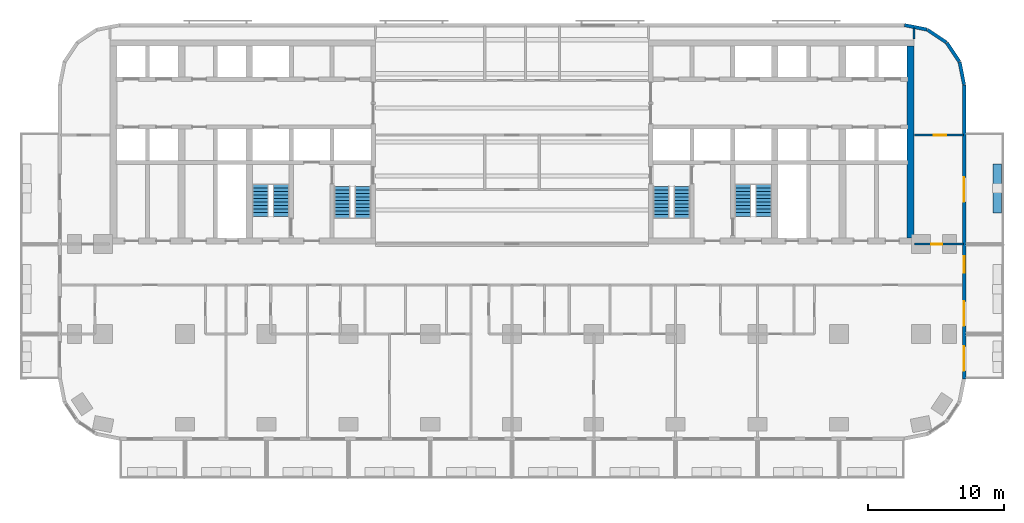
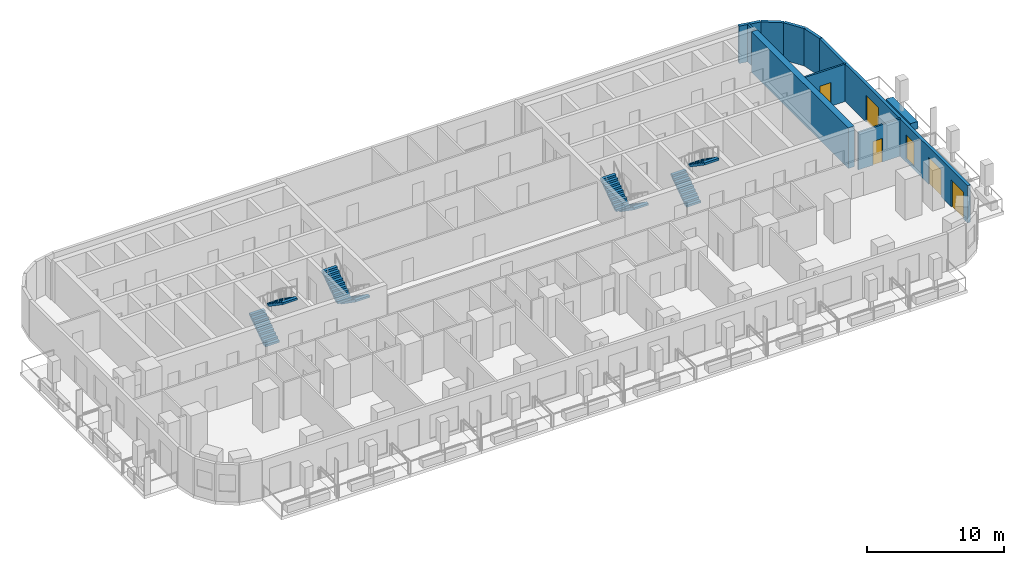
# One storey, part 9 of 14: 10 walls, 8 stair flights, 5 doors, 1 window, 6 openings, 4 elements without a shape of their own.
"""IFC4 building model written with IfcOpenShell, lengths in metres."""

from ifc_helpers import new_model, si_unit, direction, frame, frame_2d, origin, place, context, subcontext, project, spatial, polyline, rectangle, outline, extrude, material, layer, layer_set, type_object, element, fill, aggregate, save


model = new_model("IFC4")

# Units and contexts
model_context = context("Model", 3, precision=1e-05, world=origin(), true_north=direction((0.0, 1.0)))
body_context = subcontext(model_context, "Body", "Model", "MODEL_VIEW")
ifc_project = project(units=[si_unit("LENGTHUNIT", "METRE"), si_unit("AREAUNIT", "SQUARE_METRE"), si_unit("VOLUMEUNIT", "CUBIC_METRE"), si_unit("PLANEANGLEUNIT", "RADIAN"), si_unit("MASSUNIT", "GRAM", prefix="KILO")], contexts=[model_context])

# Site, building, storey
site_placement = place(None, origin())
site = spatial("IfcSite", under=ifc_project, at=site_placement, CompositionType="ELEMENT")
building_placement = place(site_placement, origin())
building = spatial("IfcBuilding", under=site, at=building_placement, Name="Torana Hotel and Residences", CompositionType="ELEMENT")
storey_placement = place(building_placement, frame((0.0, 0.0, 99.60009765625)))
storey = spatial("IfcBuildingStorey", under=building, at=storey_placement, Name="L25", CompositionType="ELEMENT", Elevation=99.60009765625)

# Walls
ifc_material_1 = material(Name="Concrete C80/95", Category="concrete")
ifc_layer_1 = layer(ifc_material_1, 0.5)
ifc_layer_set_1 = layer_set([ifc_layer_1], Name="CORE WALL 500 C80/95")
wall_type_1 = type_object("IfcWallType", Name="CORE WALL 500 C80/95", PredefinedType="SHEAR", material=ifc_layer_set_1)
wall_1_placement = place(storey_placement, frame((29.25, -14.550048828125, 0.0), z_axis=(0.0, 0.0, 1.0), x_axis=(0.0, 1.0, 0.0)))
element("IfcWall", 1, at=wall_1_placement, inside=storey, type_object=wall_type_1, Name="Core wall E outer", PredefinedType="SHEAR", context=body_context, shape_type="SweptSolid", body=[
    extrude(rectangle(XDim=14.10009765625, YDim=0.5, at=frame_2d((7.050048828125, 0.0))), origin(), (0.0, 0.0, 1.0), 3.599853515625),
])
ifc_material_2 = material(Name="Black aluminium composite panel", Category="aluminium")
ifc_layer_2 = layer(ifc_material_2, 0.00390625, Name="Cladding", Category="cladding")
ifc_material_3 = material(Name="Ventilated air cavity")
ifc_layer_3 = layer(ifc_material_3, 0.0400390625, Name="Ventilated cavity", Category="cavity")
ifc_material_4 = material(Name="Mineral wool insulation")
ifc_layer_4 = layer(ifc_material_4, 0.090087890625, Name="Insulation", Category="insulation")
ifc_material_5 = material(Name="Steel S280GD", Category="steel")
ifc_layer_5 = layer(ifc_material_5, 0.092041015625, Name="Steel stud frame", Category="structure")
ifc_material_6 = material(Name="Fire rated plasterboard")
ifc_layer_6 = layer(ifc_material_6, 0.011962890625, Name="Inner board", Category="finish")
ifc_layer_7 = layer(ifc_material_6, 0.011962890625, Name="Second board", Category="finish")
ifc_layer_set_2 = layer_set([ifc_layer_2, ifc_layer_3, ifc_layer_4, ifc_layer_5, ifc_layer_6, ifc_layer_7], Name="EW1 EXTERNAL WALL BLACK METAL CLAD 250")
wall_type_2 = type_object("IfcWallType", Name="EW1 EXTERNAL WALL BLACK METAL CLAD 250", PredefinedType="SOLIDWALL", material=ifc_layer_set_2)
wall_2_placement = place(storey_placement, frame((33.172607421875, -3.30029296875, 0.0), z_axis=(0.0, 0.0, 1.0), x_axis=(-0.19513878023, 0.980775640221, 0.0)))
element("IfcWall", 2, at=wall_2_placement, inside=storey, type_object=wall_type_2, Name="External wall L25 e0.0", PredefinedType="SOLIDWALL", context=body_context, shape_type="SweptSolid", body=[
    extrude(rectangle(XDim=1.681396484375, YDim=0.25, at=frame_2d((0.8408203125, 0.0))), origin(), (0.0, 0.0, 1.0), 3.31982421875),
])
for number, where, z_axis, x_axis, name in (
    (3, (32.825927734375, -1.60595703125, 0.0), (0.0, 0.0, 1.0), (-0.55555029066, 0.831482937015, 0.0), "External wall L25 e0.1"),
    (4, (31.87109375, -0.1943359375, 0.0), (0.0, 0.0, 1.0), (-0.831482937015, 0.55555029066, 0.0), "External wall L25 e0.2"),
):
    element("IfcWall", number, at=place(storey_placement, frame(where, z_axis=z_axis, x_axis=x_axis)), inside=storey, type_object=wall_type_2, Name=name, PredefinedType="SOLIDWALL", context=body_context, shape_type="SweptSolid", body=[
        extrude(rectangle(XDim=1.65625, YDim=0.25, at=frame_2d((0.828125, 0.0))), origin(), (0.0, 0.0, 1.0), 3.31982421875),
    ])
wall_3_placement = place(storey_placement, frame((30.448974609375, 0.74462890625, 0.0), z_axis=(0.0, 0.0, 1.0), x_axis=(-0.980803419081, 0.194999110559, 0.0)))
element("IfcWall", 5, at=wall_3_placement, inside=storey, type_object=wall_type_2, Name="External wall L25 e0.3", PredefinedType="SOLIDWALL", context=body_context, shape_type="SweptSolid", body=[
    extrude(rectangle(XDim=1.681396484375, YDim=0.25, at=frame_2d((0.8408203125, 0.0))), origin(), (0.0, 0.0, 1.0), 3.31982421875),
])

# Wall, openings, doors, window
wall_4_placement = place(storey_placement, frame((33.175048828125, -24.87548828125, 0.0), z_axis=(0.0, 0.0, 1.0), x_axis=(0.0, 1.0, 0.0)))
wall_4 = element("IfcWall", 6, at=wall_4_placement, inside=storey, type_object=wall_type_2, Name="External wall L25 e0.19", PredefinedType="SOLIDWALL", context=body_context, shape_type="SweptSolid", body=[
    extrude(rectangle(XDim=21.55078125, YDim=0.25, at=frame_2d((10.775390625, 0.0))), origin(), (0.0, 0.0, 1.0), 3.31982421875),
])
opening_1_placement = place(wall_4_placement, frame((0.575439453125, 0.0, 0.0)))
opening_1 = element("IfcOpeningElement", 7, at=opening_1_placement, cuts=wall_4, Name="Opening L25-E11", PredefinedType="OPENING", context=body_context, shape_type="SweptSolid", body=[
    extrude(rectangle(XDim=1.800048828125, YDim=2.39990234375, at=frame_2d((0.89990234375, 1.199951171875))), frame((0.0, 0.135009765625, 0.0), z_axis=(0.0, -1.0, 0.0), x_axis=(1.0, 0.0, 0.0)), (0.0, 0.0, 1.0), 0.27001953125),
])
opening_2_placement = place(wall_4_placement, frame((3.87548828125, 0.0, 0.0)))
opening_2 = element("IfcOpeningElement", 8, at=opening_2_placement, cuts=wall_4, Name="Opening L25-E12", PredefinedType="OPENING", context=body_context, shape_type="SweptSolid", body=[
    extrude(rectangle(XDim=1.800048828125, YDim=2.39990234375, at=frame_2d((0.89990234375, 1.199951171875))), frame((0.0, 0.135009765625, 0.0), z_axis=(0.0, -1.0, 0.0), x_axis=(1.0, 0.0, 0.0)), (0.0, 0.0, 1.0), 0.27001953125),
])
opening_3_placement = place(wall_4_placement, frame((7.775390625, 0.0, 0.300048828125)))
opening_3 = element("IfcOpeningElement", 9, at=opening_3_placement, cuts=wall_4, Name="Opening W7", PredefinedType="OPENING", context=body_context, shape_type="SweptSolid", body=[
    extrude(rectangle(XDim=1.199951171875, YDim=2.10009765625, at=frame_2d((0.60009765625, 1.050048828125))), frame((0.0, 0.135009765625, 0.0), z_axis=(0.0, -1.0, 0.0), x_axis=(1.0, 0.0, 0.0)), (0.0, 0.0, 1.0), 0.27001953125),
])
opening_4_placement = place(wall_4_placement, frame((12.975341796875, 0.0, 0.0)))
opening_4 = element("IfcOpeningElement", 10, at=opening_4_placement, cuts=wall_4, Name="Opening L25-E13", PredefinedType="OPENING", context=body_context, shape_type="SweptSolid", body=[
    extrude(rectangle(XDim=1.800048828125, YDim=2.39990234375, at=frame_2d((0.89990234375, 1.199951171875))), frame((0.0, 0.135009765625, 0.0), z_axis=(0.0, -1.0, 0.0), x_axis=(1.0, 0.0, 0.0)), (0.0, 0.0, 1.0), 0.27001953125),
])
ifc_material_7 = material(Name="Dark glass in black aluminium frame", Category="aluminium")
door_type_1 = type_object("IfcDoorType", Name="DB1 BALCONY DOOR 1800x2400", OperationType="DOUBLE_DOOR_SINGLE_SWING", PredefinedType="DOOR", material=ifc_material_7)
door_1_placement = place(opening_1_placement, origin())
door_1 = element("IfcDoor", 11, at=door_1_placement, inside=storey, type_object=door_type_1, Name="Balcony door L25", OperationType="DOUBLE_DOOR_SINGLE_SWING", OverallHeight=2.39990234375, OverallWidth=1.800048828125, PredefinedType="DOOR", context=body_context, shape_type="SweptSolid", body=[
    extrude(rectangle(XDim=1.800048828125, YDim=2.39990234375, at=frame_2d((0.89990234375, 1.199951171875))), frame((0.0, 0.02490234375, 0.0), z_axis=(0.0, -1.0, 0.0), x_axis=(1.0, 0.0, 0.0)), (0.0, 0.0, 1.0), 0.050048828125),
])
fill(opening_1, door_1)
door_2_placement = place(opening_2_placement, frame((0.89990234375, 0.0, 0.0), z_axis=(0.0, 0.0, 1.0), x_axis=(-1.0, 0.0, 0.0)))
door_2 = element("IfcDoor", 12, at=door_2_placement, inside=storey, type_object=door_type_1, Name="Balcony door L25", OperationType="DOUBLE_DOOR_SINGLE_SWING", OverallHeight=2.39990234375, OverallWidth=1.800048828125, PredefinedType="DOOR", context=body_context, shape_type="SweptSolid", body=[
    extrude(rectangle(XDim=1.800048828125, YDim=2.39990234375, at=frame_2d((0.0, 1.199951171875))), frame((0.0, -0.02490234375, 0.0), z_axis=(0.0, 1.0, 0.0), x_axis=(-1.0, 0.0, 0.0)), (0.0, 0.0, 1.0), 0.050048828125),
])
fill(opening_2, door_2)
door_3_placement = place(opening_4_placement, origin())
door_3 = element("IfcDoor", 13, at=door_3_placement, inside=storey, type_object=door_type_1, Name="Balcony door L25", OperationType="DOUBLE_DOOR_SINGLE_SWING", OverallHeight=2.39990234375, OverallWidth=1.800048828125, PredefinedType="DOOR", context=body_context, shape_type="SweptSolid", body=[
    extrude(rectangle(XDim=1.800048828125, YDim=2.39990234375, at=frame_2d((0.89990234375, 1.199951171875))), frame((0.0, 0.02490234375, 0.0), z_axis=(0.0, -1.0, 0.0), x_axis=(1.0, 0.0, 0.0)), (0.0, 0.0, 1.0), 0.050048828125),
])
fill(opening_4, door_3)
ifc_material_8 = material(Name="Dark glass in black aluminium frame", Category="aluminium")
window_type = type_object("IfcWindowType", Name="W7 HOTEL CORRIDOR WINDOW 1200x2100", PartitioningType="SINGLE_PANEL", PredefinedType="WINDOW", material=ifc_material_8)
window_placement = place(opening_3_placement, origin())
window = element("IfcWindow", 14, at=window_placement, inside=storey, type_object=window_type, Name="Window L25", OverallHeight=2.10009765625, OverallWidth=1.199951171875, PartitioningType="SINGLE_PANEL", PredefinedType="WINDOW", context=body_context, shape_type="SweptSolid", body=[
    extrude(rectangle(XDim=1.199951171875, YDim=2.10009765625, at=frame_2d((0.60009765625, 1.050048828125))), frame((0.0, 0.030029296875, 0.0), z_axis=(0.0, -1.0, 0.0), x_axis=(1.0, 0.0, 0.0)), (0.0, 0.0, 1.0), 0.06005859375),
])
fill(opening_3, window)

# Wall, opening, door
ifc_material_9 = material(Name="Gypsum plaster")
ifc_layer_8 = layer(ifc_material_9, 0.014892578125, Name="Plaster", Category="finish")
ifc_material_10 = material(Name="Concrete blockwork", Category="masonry")
ifc_layer_9 = layer(ifc_material_10, 0.1201171875, Name="Blockwork", Category="structure")
ifc_layer_10 = layer(ifc_material_9, 0.014892578125, Name="Plaster", Category="finish")
ifc_layer_set_3 = layer_set([ifc_layer_8, ifc_layer_9, ifc_layer_10], Name="FIRE PARTITION 150 BLOCKWORK")
wall_type_3 = type_object("IfcWallType", Name="FIRE PARTITION 150 BLOCKWORK", PredefinedType="PARTITIONING", material=ifc_layer_set_3)
wall_5_placement = place(storey_placement, frame((29.550048828125, -15.0, 0.0), z_axis=(0.0, 0.0, 1.0), x_axis=(1.0, 0.0, 0.0)))
wall_5 = element("IfcWall", 15, at=wall_5_placement, inside=storey, type_object=wall_type_3, Name="Partition L25", PredefinedType="PARTITIONING", context=body_context, shape_type="SweptSolid", body=[
    extrude(rectangle(XDim=3.570068359375, YDim=0.14990234375, at=frame_2d((1.78515625, 0.0))), origin(), (0.0, 0.0, 1.0), 3.31982421875),
])
opening_5_placement = place(wall_5_placement, frame((1.205078125, 0.0, 0.0)))
opening_5 = element("IfcOpeningElement", 16, at=opening_5_placement, cuts=wall_5, Name="Opening L25-42", PredefinedType="OPENING", context=body_context, shape_type="SweptSolid", body=[
    extrude(rectangle(XDim=0.800048828125, YDim=2.10009765625, at=frame_2d((0.39990234375, 1.050048828125))), frame((0.0, 0.0849609375, 0.0), z_axis=(0.0, -1.0, 0.0), x_axis=(1.0, 0.0, 0.0)), (0.0, 0.0, 1.0), 0.169921875),
])
ifc_material_11 = material(Name="Steel S235", Category="steel")
door_type_2 = type_object("IfcDoorType", Name="STORE FIRE DOOR D16 800x2100", OperationType="SINGLE_SWING_LEFT", PredefinedType="DOOR", material=ifc_material_11)
door_4_placement = place(opening_5_placement, origin())
door_4 = element("IfcDoor", 17, at=door_4_placement, inside=storey, type_object=door_type_2, Name="Door L25", OperationType="SINGLE_SWING_RIGHT", OverallHeight=2.10009765625, OverallWidth=0.800048828125, PredefinedType="DOOR", context=body_context, shape_type="SweptSolid", body=[
    extrude(rectangle(XDim=0.800048828125, YDim=2.10009765625, at=frame_2d((0.39990234375, 1.050048828125))), frame((0.0, 0.02490234375, 0.0), z_axis=(0.0, -1.0, 0.0), x_axis=(1.0, 0.0, 0.0)), (0.0, 0.0, 1.0), 0.050048828125),
])
fill(opening_5, door_4)

# Walls
ifc_material_12 = material(Name="Gypsum plasterboard")
ifc_layer_11 = layer(ifc_material_12, 0.012451171875, Name="Plasterboard", Category="finish")
ifc_layer_12 = layer(ifc_material_12, 0.012451171875, Name="Plasterboard", Category="finish")
ifc_layer_13 = layer(ifc_material_5, 0.10009765625, Name="Steel studs with mineral wool", Category="insulation")
ifc_layer_14 = layer(ifc_material_12, 0.012451171875, Name="Plasterboard", Category="finish")
ifc_layer_15 = layer(ifc_material_12, 0.012451171875, Name="Plasterboard", Category="finish")
ifc_layer_set_4 = layer_set([ifc_layer_11, ifc_layer_12, ifc_layer_13, ifc_layer_14, ifc_layer_15], Name="PARTITION 150 PLASTERBOARD")
wall_type_4 = type_object("IfcWallType", Name="PARTITION 150 PLASTERBOARD", PredefinedType="PARTITIONING", material=ifc_layer_set_4)
wall_6_placement = place(storey_placement, frame((29.5, 0.050048828125, 0.0), z_axis=(0.0, 0.0, 1.0), x_axis=(0.0, 1.0, 0.0)))
element("IfcWall", 18, at=wall_6_placement, inside=storey, type_object=wall_type_4, Name="Partition L25", PredefinedType="PARTITIONING", context=body_context, shape_type="SweptSolid", body=[
    extrude(rectangle(XDim=0.8271484375, YDim=0.14990234375, at=frame_2d((0.41357421875, 0.0))), origin(), (0.0, 0.0, 1.0), 3.31982421875),
])
ifc_material_13 = material(Name="Concrete C40/50 precast", Category="concrete")
ifc_layer_16 = layer(ifc_material_13, 0.10009765625, Name="Planter shell", Category="structure")
ifc_material_14 = material(Name="Root resistant membrane")
ifc_layer_17 = layer(ifc_material_14, 0.00390625, Name="Waterproofing membrane", Category="membrane")
ifc_material_15 = material(Name="Drainage board with filter fleece")
ifc_layer_18 = layer(ifc_material_15, 0.02001953125, Name="Drainage board", Category="drainage")
ifc_material_16 = material(Name="Growing medium")
ifc_layer_19 = layer(ifc_material_16, 0.47607421875, Name="Planting substrate", Category="soil")
ifc_layer_set_5 = layer_set([ifc_layer_16, ifc_layer_17, ifc_layer_18, ifc_layer_19], Name="PL1 BALCONY PLANTER 600")
wall_type_5 = type_object("IfcWallType", Name="PL1 BALCONY PLANTER 600", PredefinedType="USERDEFINED", material=ifc_layer_set_5)
wall_7_placement = place(storey_placement, frame((35.60009765625, -9.10009765625, 0.0), z_axis=(0.0, 0.0, 1.0), x_axis=(0.0, -1.0, 0.0)))
element("IfcWall", 19, at=wall_7_placement, inside=storey, type_object=wall_type_5, Name="Planter 16", ObjectType="PLANTER", PredefinedType="USERDEFINED", context=body_context, shape_type="SweptSolid", body=[
    extrude(rectangle(XDim=3.599853515625, YDim=0.60009765625, at=frame_2d((1.7998046875, 0.0))), origin(), (0.0, 0.0, 1.0), 0.64990234375),
])

# Wall, opening, door
ifc_material_17 = material(Name="Ceramic tile on adhesive")
ifc_layer_20 = layer(ifc_material_17, 0.010009765625, Name="Wall tile", Category="finish")
ifc_material_18 = material(Name="Cement render")
ifc_layer_21 = layer(ifc_material_18, 0.010009765625, Name="Render", Category="finish")
ifc_layer_22 = layer(ifc_material_10, 0.110107421875, Name="Blockwork", Category="structure")
ifc_layer_23 = layer(ifc_material_18, 0.010009765625, Name="Render", Category="finish")
ifc_layer_24 = layer(ifc_material_17, 0.010009765625, Name="Wall tile", Category="finish")
ifc_layer_set_6 = layer_set([ifc_layer_20, ifc_layer_21, ifc_layer_22, ifc_layer_23, ifc_layer_24], Name="WC PARTITION 150")
wall_type_6 = type_object("IfcWallType", Name="WC PARTITION 150", PredefinedType="PLUMBINGWALL", material=ifc_layer_set_6)
wall_8_placement = place(storey_placement, frame((29.550048828125, -7.0, 0.0), z_axis=(0.0, 0.0, 1.0), x_axis=(1.0, 0.0, 0.0)))
wall_8 = element("IfcWall", 20, at=wall_8_placement, inside=storey, type_object=wall_type_6, Name="Partition L25", PredefinedType="PLUMBINGWALL", context=body_context, shape_type="SweptSolid", body=[
    extrude(rectangle(XDim=3.570068359375, YDim=0.14990234375, at=frame_2d((1.78515625, 0.0))), origin(), (0.0, 0.0, 1.0), 3.31982421875),
])
opening_6_placement = place(wall_8_placement, frame((1.39990234375, 0.0, 0.0)))
opening_6 = element("IfcOpeningElement", 21, at=opening_6_placement, cuts=wall_8, Name="Opening L25-72", PredefinedType="OPENING", context=body_context, shape_type="SweptSolid", body=[
    extrude(rectangle(XDim=0.89990234375, YDim=2.10009765625, at=frame_2d((0.449951171875, 1.050048828125))), frame((0.0, 0.0849609375, 0.0), z_axis=(0.0, -1.0, 0.0), x_axis=(1.0, 0.0, 0.0)), (0.0, 0.0, 1.0), 0.169921875),
])
ifc_material_19 = material(Name="Timber door, oiled ash", Category="wood")
door_type_3 = type_object("IfcDoorType", Name="ROOM DOOR D7 900x2100", OperationType="SINGLE_SWING_LEFT", PredefinedType="DOOR", material=ifc_material_19)
door_5_placement = place(opening_6_placement, origin())
door_5 = element("IfcDoor", 22, at=door_5_placement, inside=storey, type_object=door_type_3, Name="Door L25", OperationType="SINGLE_SWING_LEFT", OverallHeight=2.10009765625, OverallWidth=0.89990234375, PredefinedType="DOOR", context=body_context, shape_type="SweptSolid", body=[
    extrude(rectangle(XDim=0.89990234375, YDim=2.10009765625, at=frame_2d((0.449951171875, 1.050048828125))), frame((0.0, 0.02490234375, 0.0), z_axis=(0.0, -1.0, 0.0), x_axis=(1.0, 0.0, 0.0)), (0.0, 0.0, 1.0), 0.050048828125),
])
fill(opening_6, door_5)

# Stair, stair flights
ifc_material_20 = material(Name="Concrete C40/50 precast", Category="concrete")
stair_type_1 = type_object("IfcStairType", Name="STAIR ST1 HALF TURN 1200", PredefinedType="HALF_TURN_STAIR", material=ifc_material_20)
stair_1_placement = place(storey_placement, origin())
stair_1 = element("IfcStair", 23, at=stair_1_placement, inside=storey, type_object=stair_type_1, Name="Stair ST1 L25", PredefinedType="HALF_TURN_STAIR")
ifc_material_21 = material(Name="Concrete C40/50 precast", Category="concrete")
stair_flight_type = type_object("IfcStairFlightType", Name="STAIR FLIGHT 1200 PRECAST", PredefinedType="STRAIGHT", material=ifc_material_21)
stair_flight_1_placement = place(storey_placement, frame((-10.949951171875, -10.75, 0.0), z_axis=(0.0, 0.0, 1.0), x_axis=(0.0, -1.0, 0.0)))
stair_flight_1 = element("IfcStairFlight", 24, at=stair_flight_1_placement, type_object=stair_flight_type, Name="ST1 flight 1", NumberOfRisers=10, NumberOfTreads=9, PredefinedType="STRAIGHT", RiserHeight=0.18, TreadLength=0.26, context=body_context, shape_type="SweptSolid", body=[
    extrude(outline(polyline([(0.0, 0.0), (0.0, 0.179931640625), (0.260009765625, 0.179931640625), (0.260009765625, 0.360107421875), (0.52001953125, 0.360107421875), (0.52001953125, 0.5400390625), (0.780029296875, 0.5400390625), (0.780029296875, 0.719970703125), (1.0400390625, 0.719970703125), (1.0400390625, 0.89990234375), (1.300048828125, 0.89990234375), (1.300048828125, 1.080078125), (1.56005859375, 1.080078125), (1.56005859375, 1.260009765625), (1.820068359375, 1.260009765625), (1.820068359375, 1.43994140625), (2.080078125, 1.43994140625), (2.080078125, 1.6201171875), (2.340087890625, 1.6201171875), (2.340087890625, 1.800048828125), (2.340087890625, 1.437744140625), (0.263427734375, 0.0), (0.0, 0.0)])), frame((0.0, 0.60009765625, 0.0), z_axis=(0.0, -1.0, 0.0), x_axis=(1.0, 0.0, 0.0)), (0.0, 0.0, 1.0), 1.199951171875),
])
stair_flight_2_placement = place(storey_placement, frame((-12.449951171875, -13.090087890625, 1.7998046875), z_axis=(0.0, 0.0, 1.0), x_axis=(0.0, 1.0, 0.0)))
stair_flight_2 = element("IfcStairFlight", 25, at=stair_flight_2_placement, type_object=stair_flight_type, Name="ST1 flight 2", NumberOfRisers=10, NumberOfTreads=9, PredefinedType="STRAIGHT", RiserHeight=0.18, TreadLength=0.26, context=body_context, shape_type="SweptSolid", body=[
    extrude(outline(polyline([(0.0, 0.0), (0.0, 0.179931640625), (0.260009765625, 0.179931640625), (0.260009765625, 0.360107421875), (0.52001953125, 0.360107421875), (0.52001953125, 0.5400390625), (0.780029296875, 0.5400390625), (0.780029296875, 0.719970703125), (1.0400390625, 0.719970703125), (1.0400390625, 0.89990234375), (1.300048828125, 0.89990234375), (1.300048828125, 1.080078125), (1.56005859375, 1.080078125), (1.56005859375, 1.260009765625), (1.820068359375, 1.260009765625), (1.820068359375, 1.43994140625), (2.080078125, 1.43994140625), (2.080078125, 1.6201171875), (2.340087890625, 1.6201171875), (2.340087890625, 1.800048828125), (2.340087890625, 1.437744140625), (0.263427734375, 0.0), (0.0, 0.0)])), frame((0.0, 0.60009765625, 0.0), z_axis=(0.0, -1.0, 0.0), x_axis=(1.0, 0.0, 0.0)), (0.0, 0.0, 1.0), 1.199951171875),
])
aggregate(stair_1, [stair_flight_1, stair_flight_2])

ifc_material_22 = material(Name="Concrete C40/50 precast", Category="concrete")
stair_type_2 = type_object("IfcStairType", Name="STAIR ST2 HALF TURN 1200", PredefinedType="HALF_TURN_STAIR", material=ifc_material_22)
stair_2_placement = place(storey_placement, origin())
stair_2 = element("IfcStair", 26, at=stair_2_placement, inside=storey, type_object=stair_type_2, Name="Stair ST2 L25", PredefinedType="HALF_TURN_STAIR")
stair_flight_3_placement = place(storey_placement, frame((-18.449951171875, -12.949951171875, 0.0), z_axis=(0.0, 0.0, 1.0), x_axis=(0.0, 1.0, 0.0)))
stair_flight_3 = element("IfcStairFlight", 27, at=stair_flight_3_placement, type_object=stair_flight_type, Name="ST2 flight 1", NumberOfRisers=10, NumberOfTreads=9, PredefinedType="STRAIGHT", RiserHeight=0.18, TreadLength=0.26, context=body_context, shape_type="SweptSolid", body=[
    extrude(outline(polyline([(0.0, 0.0), (0.0, 0.179931640625), (0.260009765625, 0.179931640625), (0.260009765625, 0.360107421875), (0.52001953125, 0.360107421875), (0.52001953125, 0.5400390625), (0.780029296875, 0.5400390625), (0.780029296875, 0.719970703125), (1.0400390625, 0.719970703125), (1.0400390625, 0.89990234375), (1.300048828125, 0.89990234375), (1.300048828125, 1.080078125), (1.56005859375, 1.080078125), (1.56005859375, 1.260009765625), (1.820068359375, 1.260009765625), (1.820068359375, 1.43994140625), (2.080078125, 1.43994140625), (2.080078125, 1.6201171875), (2.340087890625, 1.6201171875), (2.340087890625, 1.800048828125), (2.340087890625, 1.437744140625), (0.263427734375, 0.0), (0.0, 0.0)])), frame((0.0, 0.60009765625, 0.0), z_axis=(0.0, -1.0, 0.0), x_axis=(1.0, 0.0, 0.0)), (0.0, 0.0, 1.0), 1.199951171875),
])
stair_flight_4_placement = place(storey_placement, frame((-16.949951171875, -10.610107421875, 1.7998046875), z_axis=(0.0, 0.0, 1.0), x_axis=(0.0, -1.0, 0.0)))
stair_flight_4 = element("IfcStairFlight", 28, at=stair_flight_4_placement, type_object=stair_flight_type, Name="ST2 flight 2", NumberOfRisers=10, NumberOfTreads=9, PredefinedType="STRAIGHT", RiserHeight=0.18, TreadLength=0.26, context=body_context, shape_type="SweptSolid", body=[
    extrude(outline(polyline([(0.0, 0.0), (0.0, 0.179931640625), (0.260009765625, 0.179931640625), (0.260009765625, 0.360107421875), (0.52001953125, 0.360107421875), (0.52001953125, 0.5400390625), (0.780029296875, 0.5400390625), (0.780029296875, 0.719970703125), (1.0400390625, 0.719970703125), (1.0400390625, 0.89990234375), (1.300048828125, 0.89990234375), (1.300048828125, 1.080078125), (1.56005859375, 1.080078125), (1.56005859375, 1.260009765625), (1.820068359375, 1.260009765625), (1.820068359375, 1.43994140625), (2.080078125, 1.43994140625), (2.080078125, 1.6201171875), (2.340087890625, 1.6201171875), (2.340087890625, 1.800048828125), (2.340087890625, 1.437744140625), (0.263427734375, 0.0), (0.0, 0.0)])), frame((0.0, 0.60009765625, 0.0), z_axis=(0.0, -1.0, 0.0), x_axis=(1.0, 0.0, 0.0)), (0.0, 0.0, 1.0), 1.199951171875),
])
aggregate(stair_2, [stair_flight_3, stair_flight_4])

ifc_material_23 = material(Name="Concrete C40/50 precast", Category="concrete")
stair_type_3 = type_object("IfcStairType", Name="STAIR ST3 HALF TURN 1200", PredefinedType="HALF_TURN_STAIR", material=ifc_material_23)
stair_3_placement = place(storey_placement, origin())
stair_3 = element("IfcStair", 29, at=stair_3_placement, inside=storey, type_object=stair_type_3, Name="Stair ST3 L25", PredefinedType="HALF_TURN_STAIR")
stair_flight_5_placement = place(storey_placement, frame((12.449951171875, -10.75, 0.0), z_axis=(0.0, 0.0, 1.0), x_axis=(0.0, -1.0, 0.0)))
stair_flight_5 = element("IfcStairFlight", 30, at=stair_flight_5_placement, type_object=stair_flight_type, Name="ST3 flight 1", NumberOfRisers=10, NumberOfTreads=9, PredefinedType="STRAIGHT", RiserHeight=0.18, TreadLength=0.26, context=body_context, shape_type="SweptSolid", body=[
    extrude(outline(polyline([(0.0, 0.0), (0.0, 0.179931640625), (0.260009765625, 0.179931640625), (0.260009765625, 0.360107421875), (0.52001953125, 0.360107421875), (0.52001953125, 0.5400390625), (0.780029296875, 0.5400390625), (0.780029296875, 0.719970703125), (1.0400390625, 0.719970703125), (1.0400390625, 0.89990234375), (1.300048828125, 0.89990234375), (1.300048828125, 1.080078125), (1.56005859375, 1.080078125), (1.56005859375, 1.260009765625), (1.820068359375, 1.260009765625), (1.820068359375, 1.43994140625), (2.080078125, 1.43994140625), (2.080078125, 1.6201171875), (2.340087890625, 1.6201171875), (2.340087890625, 1.800048828125), (2.340087890625, 1.437744140625), (0.263427734375, 0.0), (0.0, 0.0)])), frame((0.0, 0.60009765625, 0.0), z_axis=(0.0, -1.0, 0.0), x_axis=(1.0, 0.0, 0.0)), (0.0, 0.0, 1.0), 1.199951171875),
])
stair_flight_6_placement = place(storey_placement, frame((10.949951171875, -13.090087890625, 1.7998046875), z_axis=(0.0, 0.0, 1.0), x_axis=(0.0, 1.0, 0.0)))
stair_flight_6 = element("IfcStairFlight", 31, at=stair_flight_6_placement, type_object=stair_flight_type, Name="ST3 flight 2", NumberOfRisers=10, NumberOfTreads=9, PredefinedType="STRAIGHT", RiserHeight=0.18, TreadLength=0.26, context=body_context, shape_type="SweptSolid", body=[
    extrude(outline(polyline([(0.0, 0.0), (0.0, 0.179931640625), (0.260009765625, 0.179931640625), (0.260009765625, 0.360107421875), (0.52001953125, 0.360107421875), (0.52001953125, 0.5400390625), (0.780029296875, 0.5400390625), (0.780029296875, 0.719970703125), (1.0400390625, 0.719970703125), (1.0400390625, 0.89990234375), (1.300048828125, 0.89990234375), (1.300048828125, 1.080078125), (1.56005859375, 1.080078125), (1.56005859375, 1.260009765625), (1.820068359375, 1.260009765625), (1.820068359375, 1.43994140625), (2.080078125, 1.43994140625), (2.080078125, 1.6201171875), (2.340087890625, 1.6201171875), (2.340087890625, 1.800048828125), (2.340087890625, 1.437744140625), (0.263427734375, 0.0), (0.0, 0.0)])), frame((0.0, 0.60009765625, 0.0), z_axis=(0.0, -1.0, 0.0), x_axis=(1.0, 0.0, 0.0)), (0.0, 0.0, 1.0), 1.199951171875),
])
aggregate(stair_3, [stair_flight_5, stair_flight_6])

ifc_material_24 = material(Name="Concrete C40/50 precast", Category="concrete")
stair_type_4 = type_object("IfcStairType", Name="STAIR ST4 HALF TURN 1200", PredefinedType="HALF_TURN_STAIR", material=ifc_material_24)
stair_4_placement = place(storey_placement, origin())
stair_4 = element("IfcStair", 32, at=stair_4_placement, inside=storey, type_object=stair_type_4, Name="Stair ST4 L25", PredefinedType="HALF_TURN_STAIR")
stair_flight_7_placement = place(storey_placement, frame((16.949951171875, -12.949951171875, 0.0), z_axis=(0.0, 0.0, 1.0), x_axis=(0.0, 1.0, 0.0)))
stair_flight_7 = element("IfcStairFlight", 33, at=stair_flight_7_placement, type_object=stair_flight_type, Name="ST4 flight 1", NumberOfRisers=10, NumberOfTreads=9, PredefinedType="STRAIGHT", RiserHeight=0.18, TreadLength=0.26, context=body_context, shape_type="SweptSolid", body=[
    extrude(outline(polyline([(0.0, 0.0), (0.0, 0.179931640625), (0.260009765625, 0.179931640625), (0.260009765625, 0.360107421875), (0.52001953125, 0.360107421875), (0.52001953125, 0.5400390625), (0.780029296875, 0.5400390625), (0.780029296875, 0.719970703125), (1.0400390625, 0.719970703125), (1.0400390625, 0.89990234375), (1.300048828125, 0.89990234375), (1.300048828125, 1.080078125), (1.56005859375, 1.080078125), (1.56005859375, 1.260009765625), (1.820068359375, 1.260009765625), (1.820068359375, 1.43994140625), (2.080078125, 1.43994140625), (2.080078125, 1.6201171875), (2.340087890625, 1.6201171875), (2.340087890625, 1.800048828125), (2.340087890625, 1.437744140625), (0.263427734375, 0.0), (0.0, 0.0)])), frame((0.0, 0.60009765625, 0.0), z_axis=(0.0, -1.0, 0.0), x_axis=(1.0, 0.0, 0.0)), (0.0, 0.0, 1.0), 1.199951171875),
])
stair_flight_8_placement = place(storey_placement, frame((18.449951171875, -10.610107421875, 1.7998046875), z_axis=(0.0, 0.0, 1.0), x_axis=(0.0, -1.0, 0.0)))
stair_flight_8 = element("IfcStairFlight", 34, at=stair_flight_8_placement, type_object=stair_flight_type, Name="ST4 flight 2", NumberOfRisers=10, NumberOfTreads=9, PredefinedType="STRAIGHT", RiserHeight=0.18, TreadLength=0.26, context=body_context, shape_type="SweptSolid", body=[
    extrude(outline(polyline([(0.0, 0.0), (0.0, 0.179931640625), (0.260009765625, 0.179931640625), (0.260009765625, 0.360107421875), (0.52001953125, 0.360107421875), (0.52001953125, 0.5400390625), (0.780029296875, 0.5400390625), (0.780029296875, 0.719970703125), (1.0400390625, 0.719970703125), (1.0400390625, 0.89990234375), (1.300048828125, 0.89990234375), (1.300048828125, 1.080078125), (1.56005859375, 1.080078125), (1.56005859375, 1.260009765625), (1.820068359375, 1.260009765625), (1.820068359375, 1.43994140625), (2.080078125, 1.43994140625), (2.080078125, 1.6201171875), (2.340087890625, 1.6201171875), (2.340087890625, 1.800048828125), (2.340087890625, 1.437744140625), (0.263427734375, 0.0), (0.0, 0.0)])), frame((0.0, 0.60009765625, 0.0), z_axis=(0.0, -1.0, 0.0), x_axis=(1.0, 0.0, 0.0)), (0.0, 0.0, 1.0), 1.199951171875),
])
aggregate(stair_4, [stair_flight_7, stair_flight_8])

save(model, "model.ifc")
